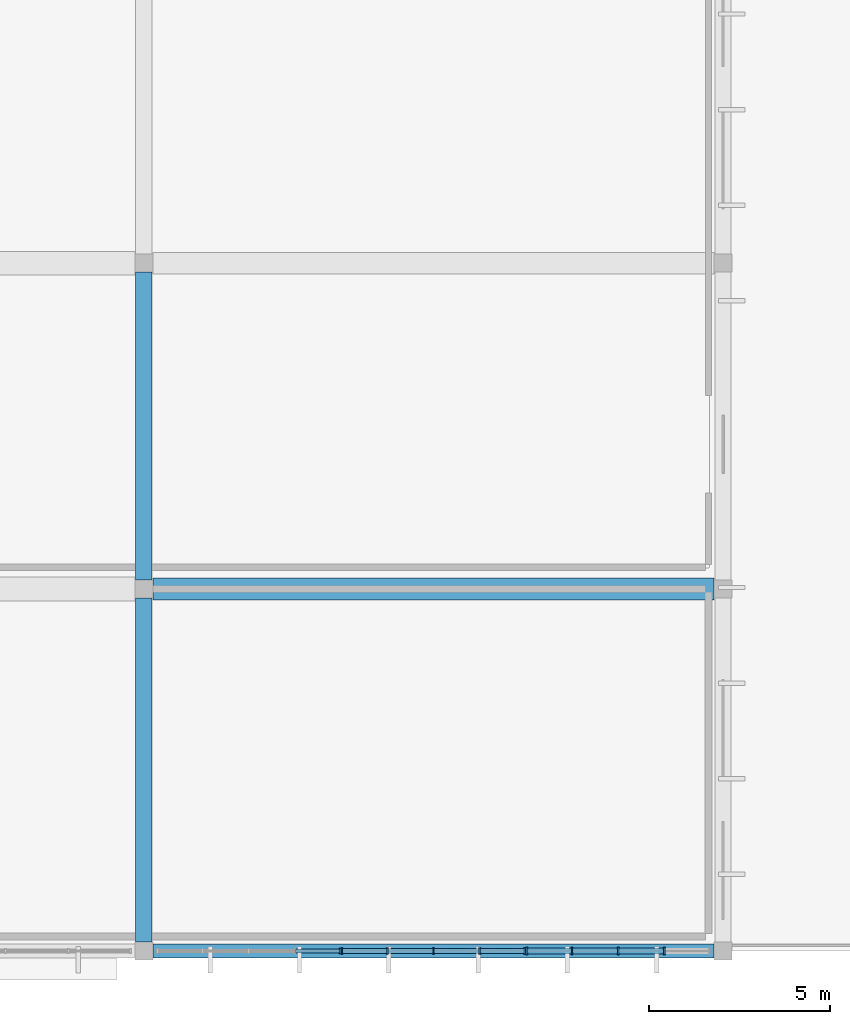
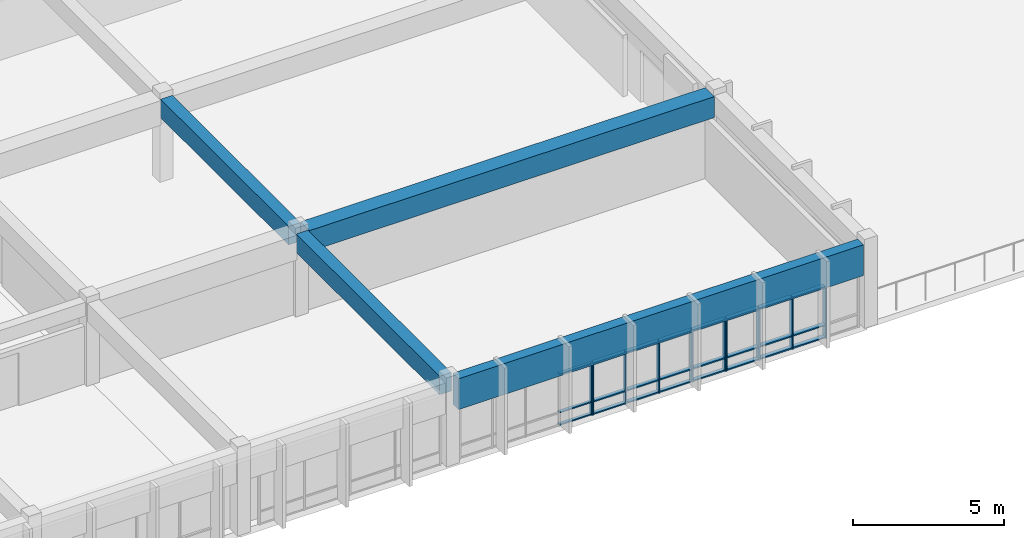
# One storey, part 9 of 33: 34 members, 4 beams, 3 elements without a shape of their own.
"""IFC4 building model written with IfcOpenShell, lengths in metres."""

from ifc_helpers import new_model, si_unit, direction, frame, origin, origin_2d, place, context, subcontext, project, spatial, rectangle, extrude, material, material_profile, profile_set, type_object, element, aggregate, save


model = new_model("IFC4")

# Units and contexts
model_context = context("Model", 3, precision=1e-05, world=origin(), true_north=direction((0.0, 1.0)))
body_context = subcontext(model_context, "Body", "Model", "MODEL_VIEW")
ifc_project = project(units=[si_unit("LENGTHUNIT", "METRE"), si_unit("AREAUNIT", "SQUARE_METRE"), si_unit("VOLUMEUNIT", "CUBIC_METRE"), si_unit("PLANEANGLEUNIT", "RADIAN"), si_unit("MASSUNIT", "GRAM", prefix="KILO")], contexts=[model_context])

# Site, building, storey
site_placement = place(None, origin())
site = spatial("IfcSite", under=ifc_project, at=site_placement, CompositionType="ELEMENT")
building_placement = place(site_placement, origin())
building = spatial("IfcBuilding", under=site, at=building_placement, Name="Larkveld Mobility Hub", CompositionType="ELEMENT")
storey_placement = place(building_placement, frame((0.0, 0.0, 15.60009765625)))
storey = spatial("IfcBuildingStorey", under=building, at=storey_placement, Name="L04", CompositionType="ELEMENT", Elevation=15.60009765625)

# Beams
ifc_material_1 = material(Name="Precast concrete C50/60", Category="concrete")
ifc_material_profile_1 = material_profile(ifc_material_1, rectangle(XDim=0.60009765625, YDim=0.85009765625, at=origin_2d()), Name="PC ITB 600x850")
ifc_profile_set_1 = profile_set([ifc_material_profile_1], Name="Precast concrete C50/60")
beam_type_1 = type_object("IfcBeamType", Name="BM-ITB6085", PredefinedType="T_BEAM", material=ifc_profile_set_1)
beam_1_placement = place(storey_placement, frame((152.25, 10.0, 2.934814453125), z_axis=(1.0, 0.0, 0.0), x_axis=(0.0, 1.0, 0.0)))
element("IfcBeam", 1, at=beam_1_placement, inside=storey, type_object=beam_type_1, Name="Primary E-W Girder L04-0865", PredefinedType="T_BEAM", context=body_context, shape_type="SweptSolid", body=[
    extrude(rectangle(XDim=0.60009765625, YDim=0.85009765625, at=origin_2d()), origin(), (0.0, 0.0, 1.0), 15.5),
])
ifc_material_2 = material(Name="Concrete C40/50", Category="concrete")
ifc_material_profile_2 = material_profile(ifc_material_2, rectangle(XDim=0.449951171875, YDim=0.75, at=origin_2d()), Name="RC BM 450x750")
ifc_profile_set_2 = profile_set([ifc_material_profile_2], Name="Concrete C40/50")
beam_type_2 = type_object("IfcBeamType", Name="BM-RC4575", PredefinedType="BEAM", material=ifc_profile_set_2)
beam_2_placement = place(storey_placement, frame((152.0, 0.25, 2.98486328125), z_axis=(0.0, 1.0, 0.0), x_axis=(-1.0, 0.0, 0.0)))
element("IfcBeam", 2, at=beam_2_placement, inside=storey, type_object=beam_type_2, Name="Primary N-S Girder L04-0930", PredefinedType="BEAM", context=body_context, shape_type="SweptSolid", body=[
    extrude(rectangle(XDim=0.449951171875, YDim=0.75, at=origin_2d()), origin(), (0.0, 0.0, 1.0), 9.5),
])
beam_3_placement = place(storey_placement, frame((152.0, 10.25, 2.98486328125), z_axis=(0.0, 1.0, 0.0), x_axis=(-1.0, 0.0, 0.0)))
element("IfcBeam", 3, at=beam_3_placement, inside=storey, type_object=beam_type_2, Name="Primary N-S Girder L04-0931", PredefinedType="BEAM", context=body_context, shape_type="SweptSolid", body=[
    extrude(rectangle(XDim=0.449951171875, YDim=0.75, at=origin_2d()), origin(), (0.0, 0.0, 1.0), 8.5),
])
ifc_material_profile_3 = material_profile(ifc_material_1, rectangle(XDim=0.3798828125, YDim=1.25, at=origin_2d()), Name="PC SP 380x1250")
ifc_profile_set_3 = profile_set([ifc_material_profile_3], Name="Precast concrete C50/60")
beam_type_3 = type_object("IfcBeamType", Name="BM-SP38125", PredefinedType="SPANDREL", material=ifc_profile_set_3)
beam_4_placement = place(storey_placement, frame((152.25, 0.0, 2.73486328125), z_axis=(1.0, 0.0, 0.0), x_axis=(0.0, 1.0, 0.0)))
element("IfcBeam", 4, at=beam_4_placement, inside=storey, type_object=beam_type_3, Name="Primary E-W Girder L04-0859", PredefinedType="SPANDREL", context=body_context, shape_type="SweptSolid", body=[
    extrude(rectangle(XDim=0.3798828125, YDim=1.25, at=origin_2d()), origin(), (0.0, 0.0, 1.0), 15.5),
])

# Curtain wall, member
ifc_material_3 = material(Name="Anodised aluminium 6063-T6", Category="aluminium")
curtain_wall_type_1 = type_object("IfcCurtainWallType", Name="CW-SYS-09", PredefinedType="NOTDEFINED", material=ifc_material_3)
curtain_wall_1_placement = place(storey_placement, origin())
curtain_wall_1 = element("IfcCurtainWall", 5, at=curtain_wall_1_placement, inside=storey, type_object=curtain_wall_type_1, Name="Service Wing South Glazing L04 CW-129", PredefinedType="NOTDEFINED")
ifc_material_profile_4 = material_profile(ifc_material_3, rectangle(XDim=0.050048828125, YDim=0.14990234375, at=origin_2d()), Name="ALU MULL 50x150")
ifc_profile_set_4 = profile_set([ifc_material_profile_4], Name="Anodised aluminium 6063-T6")
member_type_1 = type_object("IfcMemberType", Name="CW-MUL-01", PredefinedType="MULLION", material=ifc_profile_set_4)
member_1_placement = place(storey_placement, frame((157.425048828125, 0.0, -0.002197265625), z_axis=(0.0, 0.0, 1.0), x_axis=(1.0, 0.0, 0.0)))
member_1 = element("IfcMember", 6, at=member_1_placement, type_object=member_type_1, Name="CW09 mullion 5", PredefinedType="MULLION", context=body_context, shape_type="SweptSolid", body=[
    extrude(rectangle(XDim=0.050048828125, YDim=0.14990234375, at=origin_2d()), origin(), (0.0, 0.0, 1.0), 2.112060546875),
])

# Curtain wall, members
curtain_wall_type_2 = type_object("IfcCurtainWallType", Name="CW-SYS-10", PredefinedType="NOTDEFINED", material=ifc_material_3)
curtain_wall_2_placement = place(storey_placement, origin())
curtain_wall_2 = element("IfcCurtainWall", 7, at=curtain_wall_2_placement, inside=storey, type_object=curtain_wall_type_2, Name="Service Wing South Glazing L04 CW-130", PredefinedType="NOTDEFINED")
ifc_material_profile_5 = material_profile(ifc_material_3, rectangle(XDim=0.050048828125, YDim=0.179931640625, at=origin_2d()), Name="ALU MULL 50x180")
ifc_profile_set_5 = profile_set([ifc_material_profile_5], Name="Anodised aluminium 6063-T6")
member_type_2 = type_object("IfcMemberType", Name="CW-MUL-02", PredefinedType="MULLION", material=ifc_profile_set_5)
member_2_placement = place(storey_placement, frame((157.47509765625, 0.0, -0.002197265625), z_axis=(0.0, 0.0, 1.0), x_axis=(1.0, 0.0, 0.0)))
member_2 = element("IfcMember", 8, at=member_2_placement, type_object=member_type_2, Name="CW10 mullion 1", PredefinedType="MULLION", context=body_context, shape_type="SweptSolid", body=[
    extrude(rectangle(XDim=0.050048828125, YDim=0.179931640625, at=origin_2d()), origin(), (0.0, 0.0, 1.0), 2.112060546875),
])
member_3_placement = place(storey_placement, frame((158.72509765625, 0.0, -0.002197265625), z_axis=(0.0, 0.0, 1.0), x_axis=(1.0, 0.0, 0.0)))
member_3 = element("IfcMember", 9, at=member_3_placement, type_object=member_type_2, Name="CW10 mullion 2", PredefinedType="MULLION", context=body_context, shape_type="SweptSolid", body=[
    extrude(rectangle(XDim=0.050048828125, YDim=0.179931640625, at=origin_2d()), origin(), (0.0, 0.0, 1.0), 2.112060546875),
])
member_4_placement = place(storey_placement, frame((160.0, 0.0, -0.002197265625), z_axis=(0.0, 0.0, 1.0), x_axis=(1.0, 0.0, 0.0)))
member_4 = element("IfcMember", 10, at=member_4_placement, type_object=member_type_2, Name="CW10 mullion 3", PredefinedType="MULLION", context=body_context, shape_type="SweptSolid", body=[
    extrude(rectangle(XDim=0.050048828125, YDim=0.179931640625, at=origin_2d()), origin(), (0.0, 0.0, 1.0), 2.112060546875),
])
member_5_placement = place(storey_placement, frame((161.27490234375, 0.0, -0.002197265625), z_axis=(0.0, 0.0, 1.0), x_axis=(1.0, 0.0, 0.0)))
member_5 = element("IfcMember", 11, at=member_5_placement, type_object=member_type_2, Name="CW10 mullion 4", PredefinedType="MULLION", context=body_context, shape_type="SweptSolid", body=[
    extrude(rectangle(XDim=0.050048828125, YDim=0.179931640625, at=origin_2d()), origin(), (0.0, 0.0, 1.0), 2.112060546875),
])
member_6_placement = place(storey_placement, frame((162.52490234375, 0.0, -0.002197265625), z_axis=(0.0, 0.0, 1.0), x_axis=(1.0, 0.0, 0.0)))
member_6 = element("IfcMember", 12, at=member_6_placement, type_object=member_type_2, Name="CW10 mullion 5", PredefinedType="MULLION", context=body_context, shape_type="SweptSolid", body=[
    extrude(rectangle(XDim=0.050048828125, YDim=0.179931640625, at=origin_2d()), origin(), (0.0, 0.0, 1.0), 2.112060546875),
])

curtain_wall_type_3 = type_object("IfcCurtainWallType", Name="CW-SYS-11", PredefinedType="NOTDEFINED", material=ifc_material_3)
curtain_wall_3_placement = place(storey_placement, origin())
curtain_wall_3 = element("IfcCurtainWall", 13, at=curtain_wall_3_placement, inside=storey, type_object=curtain_wall_type_3, Name="Service Wing South Glazing L04 CW-131", PredefinedType="NOTDEFINED")
ifc_material_profile_6 = material_profile(ifc_material_3, rectangle(XDim=0.050048828125, YDim=0.2099609375, at=origin_2d()), Name="ALU MULL 50x210")
ifc_profile_set_6 = profile_set([ifc_material_profile_6], Name="Anodised aluminium 6063-T6")
member_type_3 = type_object("IfcMemberType", Name="CW-MUL-03", PredefinedType="MULLION", material=ifc_profile_set_6)
member_7_placement = place(storey_placement, frame((162.574951171875, 0.0, -0.002197265625), z_axis=(0.0, 0.0, 1.0), x_axis=(1.0, 0.0, 0.0)))
member_7 = element("IfcMember", 14, at=member_7_placement, type_object=member_type_3, Name="CW11 mullion 1", PredefinedType="MULLION", context=body_context, shape_type="SweptSolid", body=[
    extrude(rectangle(XDim=0.050048828125, YDim=0.2099609375, at=origin_2d()), origin(), (0.0, 0.0, 1.0), 2.112060546875),
])
member_8_placement = place(storey_placement, frame((163.824951171875, 0.0, -0.002197265625), z_axis=(0.0, 0.0, 1.0), x_axis=(1.0, 0.0, 0.0)))
member_8 = element("IfcMember", 15, at=member_8_placement, type_object=member_type_3, Name="CW11 mullion 2", PredefinedType="MULLION", context=body_context, shape_type="SweptSolid", body=[
    extrude(rectangle(XDim=0.050048828125, YDim=0.2099609375, at=origin_2d()), origin(), (0.0, 0.0, 1.0), 2.112060546875),
])
member_9_placement = place(storey_placement, frame((165.10009765625, 0.0, -0.002197265625), z_axis=(0.0, 0.0, 1.0), x_axis=(1.0, 0.0, 0.0)))
member_9 = element("IfcMember", 16, at=member_9_placement, type_object=member_type_3, Name="CW11 mullion 3", PredefinedType="MULLION", context=body_context, shape_type="SweptSolid", body=[
    extrude(rectangle(XDim=0.050048828125, YDim=0.2099609375, at=origin_2d()), origin(), (0.0, 0.0, 1.0), 2.112060546875),
])
member_10_placement = place(storey_placement, frame((166.375, 0.0, -0.002197265625), z_axis=(0.0, 0.0, 1.0), x_axis=(1.0, 0.0, 0.0)))
member_10 = element("IfcMember", 17, at=member_10_placement, type_object=member_type_3, Name="CW11 mullion 4", PredefinedType="MULLION", context=body_context, shape_type="SweptSolid", body=[
    extrude(rectangle(XDim=0.050048828125, YDim=0.2099609375, at=origin_2d()), origin(), (0.0, 0.0, 1.0), 2.112060546875),
])

# Member
ifc_material_profile_7 = material_profile(ifc_material_3, rectangle(XDim=0.1201171875, YDim=0.050048828125, at=origin_2d()), Name="ALU TRAN 50x120")
ifc_profile_set_7 = profile_set([ifc_material_profile_7], Name="Anodised aluminium 6063-T6")
member_type_4 = type_object("IfcMemberType", Name="CW-TRN-01", PredefinedType="USERDEFINED", material=ifc_profile_set_7)
member_11_placement = place(storey_placement, frame((156.18994140625, 0.0, 0.02978515625), z_axis=(1.0, 0.0, 0.0), x_axis=(0.0, 1.0, 0.0)))
member_11 = element("IfcMember", 18, at=member_11_placement, type_object=member_type_4, Name="CW09 transom 4.1", ObjectType="TRANSOM", PredefinedType="USERDEFINED", context=body_context, shape_type="SweptSolid", body=[
    extrude(rectangle(XDim=0.1201171875, YDim=0.050048828125, at=origin_2d()), origin(), (0.0, 0.0, 1.0), 1.22509765625),
])

member_12_placement = place(storey_placement, frame((156.18994140625, 0.0, 0.52685546875), z_axis=(1.0, 0.0, 0.0), x_axis=(0.0, 1.0, 0.0)))
member_12 = element("IfcMember", 19, at=member_12_placement, type_object=member_type_4, Name="CW09 transom 4.2", ObjectType="TRANSOM", PredefinedType="USERDEFINED", context=body_context, shape_type="SweptSolid", body=[
    extrude(rectangle(XDim=0.1201171875, YDim=0.050048828125, at=origin_2d()), origin(), (0.0, 0.0, 1.0), 1.22509765625),
])

member_13_placement = place(storey_placement, frame((156.18994140625, 0.0, 2.077880859375), z_axis=(1.0, 0.0, 0.0), x_axis=(0.0, 1.0, 0.0)))
member_13 = element("IfcMember", 20, at=member_13_placement, type_object=member_type_4, Name="CW09 transom 4.3", ObjectType="TRANSOM", PredefinedType="USERDEFINED", context=body_context, shape_type="SweptSolid", body=[
    extrude(rectangle(XDim=0.1201171875, YDim=0.050048828125, at=origin_2d()), origin(), (0.0, 0.0, 1.0), 1.22509765625),
])

aggregate(curtain_wall_1, [member_1, member_11, member_12, member_13])

ifc_material_profile_8 = material_profile(ifc_material_3, rectangle(XDim=0.14990234375, YDim=0.050048828125, at=origin_2d()), Name="ALU TRAN 50x150")
ifc_profile_set_8 = profile_set([ifc_material_profile_8], Name="Anodised aluminium 6063-T6")
member_type_5 = type_object("IfcMemberType", Name="CW-TRN-02", PredefinedType="USERDEFINED", material=ifc_profile_set_8)
member_14_placement = place(storey_placement, frame((157.485107421875, 0.0, 0.02978515625), z_axis=(1.0, 0.0, 0.0), x_axis=(0.0, 1.0, 0.0)))
member_14 = element("IfcMember", 21, at=member_14_placement, type_object=member_type_5, Name="CW10 transom 1.1", ObjectType="TRANSOM", PredefinedType="USERDEFINED", context=body_context, shape_type="SweptSolid", body=[
    extrude(rectangle(XDim=0.14990234375, YDim=0.050048828125, at=origin_2d()), origin(), (0.0, 0.0, 1.0), 1.224853515625),
])

member_15_placement = place(storey_placement, frame((157.485107421875, 0.0, 0.52685546875), z_axis=(1.0, 0.0, 0.0), x_axis=(0.0, 1.0, 0.0)))
member_15 = element("IfcMember", 22, at=member_15_placement, type_object=member_type_5, Name="CW10 transom 1.2", ObjectType="TRANSOM", PredefinedType="USERDEFINED", context=body_context, shape_type="SweptSolid", body=[
    extrude(rectangle(XDim=0.14990234375, YDim=0.050048828125, at=origin_2d()), origin(), (0.0, 0.0, 1.0), 1.224853515625),
])

member_16_placement = place(storey_placement, frame((157.485107421875, 0.0, 2.077880859375), z_axis=(1.0, 0.0, 0.0), x_axis=(0.0, 1.0, 0.0)))
member_16 = element("IfcMember", 23, at=member_16_placement, type_object=member_type_5, Name="CW10 transom 1.3", ObjectType="TRANSOM", PredefinedType="USERDEFINED", context=body_context, shape_type="SweptSolid", body=[
    extrude(rectangle(XDim=0.14990234375, YDim=0.050048828125, at=origin_2d()), origin(), (0.0, 0.0, 1.0), 1.224853515625),
])

member_17_placement = place(storey_placement, frame((158.739990234375, 0.0, 0.02978515625), z_axis=(1.0, 0.0, 0.0), x_axis=(0.0, 1.0, 0.0)))
member_17 = element("IfcMember", 24, at=member_17_placement, type_object=member_type_5, Name="CW10 transom 2.1", ObjectType="TRANSOM", PredefinedType="USERDEFINED", context=body_context, shape_type="SweptSolid", body=[
    extrude(rectangle(XDim=0.14990234375, YDim=0.050048828125, at=origin_2d()), origin(), (0.0, 0.0, 1.0), 1.2451171875),
])

member_18_placement = place(storey_placement, frame((158.739990234375, 0.0, 0.52685546875), z_axis=(1.0, 0.0, 0.0), x_axis=(0.0, 1.0, 0.0)))
member_18 = element("IfcMember", 25, at=member_18_placement, type_object=member_type_5, Name="CW10 transom 2.2", ObjectType="TRANSOM", PredefinedType="USERDEFINED", context=body_context, shape_type="SweptSolid", body=[
    extrude(rectangle(XDim=0.14990234375, YDim=0.050048828125, at=origin_2d()), origin(), (0.0, 0.0, 1.0), 1.2451171875),
])

member_19_placement = place(storey_placement, frame((158.739990234375, 0.0, 2.077880859375), z_axis=(1.0, 0.0, 0.0), x_axis=(0.0, 1.0, 0.0)))
member_19 = element("IfcMember", 26, at=member_19_placement, type_object=member_type_5, Name="CW10 transom 2.3", ObjectType="TRANSOM", PredefinedType="USERDEFINED", context=body_context, shape_type="SweptSolid", body=[
    extrude(rectangle(XDim=0.14990234375, YDim=0.050048828125, at=origin_2d()), origin(), (0.0, 0.0, 1.0), 1.2451171875),
])

member_20_placement = place(storey_placement, frame((160.014892578125, 0.0, 0.02978515625), z_axis=(1.0, 0.0, 0.0), x_axis=(0.0, 1.0, 0.0)))
member_20 = element("IfcMember", 27, at=member_20_placement, type_object=member_type_5, Name="CW10 transom 3.1", ObjectType="TRANSOM", PredefinedType="USERDEFINED", context=body_context, shape_type="SweptSolid", body=[
    extrude(rectangle(XDim=0.14990234375, YDim=0.050048828125, at=origin_2d()), origin(), (0.0, 0.0, 1.0), 1.2451171875),
])

member_21_placement = place(storey_placement, frame((160.014892578125, 0.0, 0.52685546875), z_axis=(1.0, 0.0, 0.0), x_axis=(0.0, 1.0, 0.0)))
member_21 = element("IfcMember", 28, at=member_21_placement, type_object=member_type_5, Name="CW10 transom 3.2", ObjectType="TRANSOM", PredefinedType="USERDEFINED", context=body_context, shape_type="SweptSolid", body=[
    extrude(rectangle(XDim=0.14990234375, YDim=0.050048828125, at=origin_2d()), origin(), (0.0, 0.0, 1.0), 1.2451171875),
])

member_22_placement = place(storey_placement, frame((160.014892578125, 0.0, 2.077880859375), z_axis=(1.0, 0.0, 0.0), x_axis=(0.0, 1.0, 0.0)))
member_22 = element("IfcMember", 29, at=member_22_placement, type_object=member_type_5, Name="CW10 transom 3.3", ObjectType="TRANSOM", PredefinedType="USERDEFINED", context=body_context, shape_type="SweptSolid", body=[
    extrude(rectangle(XDim=0.14990234375, YDim=0.050048828125, at=origin_2d()), origin(), (0.0, 0.0, 1.0), 1.2451171875),
])

member_23_placement = place(storey_placement, frame((161.2900390625, 0.0, 0.02978515625), z_axis=(1.0, 0.0, 0.0), x_axis=(0.0, 1.0, 0.0)))
member_23 = element("IfcMember", 30, at=member_23_placement, type_object=member_type_5, Name="CW10 transom 4.1", ObjectType="TRANSOM", PredefinedType="USERDEFINED", context=body_context, shape_type="SweptSolid", body=[
    extrude(rectangle(XDim=0.14990234375, YDim=0.050048828125, at=origin_2d()), origin(), (0.0, 0.0, 1.0), 1.224853515625),
])

member_24_placement = place(storey_placement, frame((161.2900390625, 0.0, 0.52685546875), z_axis=(1.0, 0.0, 0.0), x_axis=(0.0, 1.0, 0.0)))
member_24 = element("IfcMember", 31, at=member_24_placement, type_object=member_type_5, Name="CW10 transom 4.2", ObjectType="TRANSOM", PredefinedType="USERDEFINED", context=body_context, shape_type="SweptSolid", body=[
    extrude(rectangle(XDim=0.14990234375, YDim=0.050048828125, at=origin_2d()), origin(), (0.0, 0.0, 1.0), 1.224853515625),
])

member_25_placement = place(storey_placement, frame((161.2900390625, 0.0, 2.077880859375), z_axis=(1.0, 0.0, 0.0), x_axis=(0.0, 1.0, 0.0)))
member_25 = element("IfcMember", 32, at=member_25_placement, type_object=member_type_5, Name="CW10 transom 4.3", ObjectType="TRANSOM", PredefinedType="USERDEFINED", context=body_context, shape_type="SweptSolid", body=[
    extrude(rectangle(XDim=0.14990234375, YDim=0.050048828125, at=origin_2d()), origin(), (0.0, 0.0, 1.0), 1.224853515625),
])

aggregate(curtain_wall_2, [member_2, member_3, member_4, member_5, member_6, member_14, member_15, member_16, member_17, member_18, member_19, member_20, member_21, member_22, member_23, member_24, member_25])

ifc_material_profile_9 = material_profile(ifc_material_3, rectangle(XDim=0.169921875, YDim=0.050048828125, at=origin_2d()), Name="ALU TRAN 50x170")
ifc_profile_set_9 = profile_set([ifc_material_profile_9], Name="Anodised aluminium 6063-T6")
member_type_6 = type_object("IfcMemberType", Name="CW-TRN-03", PredefinedType="USERDEFINED", material=ifc_profile_set_9)
member_26_placement = place(storey_placement, frame((162.5849609375, 0.0, 0.02978515625), z_axis=(1.0, 0.0, 0.0), x_axis=(0.0, 1.0, 0.0)))
member_26 = element("IfcMember", 33, at=member_26_placement, type_object=member_type_6, Name="CW11 transom 1.1", ObjectType="TRANSOM", PredefinedType="USERDEFINED", context=body_context, shape_type="SweptSolid", body=[
    extrude(rectangle(XDim=0.169921875, YDim=0.050048828125, at=origin_2d()), origin(), (0.0, 0.0, 1.0), 1.22509765625),
])

member_27_placement = place(storey_placement, frame((162.5849609375, 0.0, 0.52685546875), z_axis=(1.0, 0.0, 0.0), x_axis=(0.0, 1.0, 0.0)))
member_27 = element("IfcMember", 34, at=member_27_placement, type_object=member_type_6, Name="CW11 transom 1.2", ObjectType="TRANSOM", PredefinedType="USERDEFINED", context=body_context, shape_type="SweptSolid", body=[
    extrude(rectangle(XDim=0.169921875, YDim=0.050048828125, at=origin_2d()), origin(), (0.0, 0.0, 1.0), 1.22509765625),
])

member_28_placement = place(storey_placement, frame((162.5849609375, 0.0, 2.077880859375), z_axis=(1.0, 0.0, 0.0), x_axis=(0.0, 1.0, 0.0)))
member_28 = element("IfcMember", 35, at=member_28_placement, type_object=member_type_6, Name="CW11 transom 1.3", ObjectType="TRANSOM", PredefinedType="USERDEFINED", context=body_context, shape_type="SweptSolid", body=[
    extrude(rectangle(XDim=0.169921875, YDim=0.050048828125, at=origin_2d()), origin(), (0.0, 0.0, 1.0), 1.22509765625),
])

member_29_placement = place(storey_placement, frame((163.840087890625, 0.0, 0.02978515625), z_axis=(1.0, 0.0, 0.0), x_axis=(0.0, 1.0, 0.0)))
member_29 = element("IfcMember", 36, at=member_29_placement, type_object=member_type_6, Name="CW11 transom 2.1", ObjectType="TRANSOM", PredefinedType="USERDEFINED", context=body_context, shape_type="SweptSolid", body=[
    extrude(rectangle(XDim=0.169921875, YDim=0.050048828125, at=origin_2d()), origin(), (0.0, 0.0, 1.0), 1.244873046875),
])

member_30_placement = place(storey_placement, frame((163.840087890625, 0.0, 0.52685546875), z_axis=(1.0, 0.0, 0.0), x_axis=(0.0, 1.0, 0.0)))
member_30 = element("IfcMember", 37, at=member_30_placement, type_object=member_type_6, Name="CW11 transom 2.2", ObjectType="TRANSOM", PredefinedType="USERDEFINED", context=body_context, shape_type="SweptSolid", body=[
    extrude(rectangle(XDim=0.169921875, YDim=0.050048828125, at=origin_2d()), origin(), (0.0, 0.0, 1.0), 1.244873046875),
])

member_31_placement = place(storey_placement, frame((163.840087890625, 0.0, 2.077880859375), z_axis=(1.0, 0.0, 0.0), x_axis=(0.0, 1.0, 0.0)))
member_31 = element("IfcMember", 38, at=member_31_placement, type_object=member_type_6, Name="CW11 transom 2.3", ObjectType="TRANSOM", PredefinedType="USERDEFINED", context=body_context, shape_type="SweptSolid", body=[
    extrude(rectangle(XDim=0.169921875, YDim=0.050048828125, at=origin_2d()), origin(), (0.0, 0.0, 1.0), 1.244873046875),
])

member_32_placement = place(storey_placement, frame((165.114990234375, 0.0, 0.02978515625), z_axis=(1.0, 0.0, 0.0), x_axis=(0.0, 1.0, 0.0)))
member_32 = element("IfcMember", 39, at=member_32_placement, type_object=member_type_6, Name="CW11 transom 3.1", ObjectType="TRANSOM", PredefinedType="USERDEFINED", context=body_context, shape_type="SweptSolid", body=[
    extrude(rectangle(XDim=0.169921875, YDim=0.050048828125, at=origin_2d()), origin(), (0.0, 0.0, 1.0), 1.2451171875),
])

member_33_placement = place(storey_placement, frame((165.114990234375, 0.0, 0.52685546875), z_axis=(1.0, 0.0, 0.0), x_axis=(0.0, 1.0, 0.0)))
member_33 = element("IfcMember", 40, at=member_33_placement, type_object=member_type_6, Name="CW11 transom 3.2", ObjectType="TRANSOM", PredefinedType="USERDEFINED", context=body_context, shape_type="SweptSolid", body=[
    extrude(rectangle(XDim=0.169921875, YDim=0.050048828125, at=origin_2d()), origin(), (0.0, 0.0, 1.0), 1.2451171875),
])

member_34_placement = place(storey_placement, frame((165.114990234375, 0.0, 2.077880859375), z_axis=(1.0, 0.0, 0.0), x_axis=(0.0, 1.0, 0.0)))
member_34 = element("IfcMember", 41, at=member_34_placement, type_object=member_type_6, Name="CW11 transom 3.3", ObjectType="TRANSOM", PredefinedType="USERDEFINED", context=body_context, shape_type="SweptSolid", body=[
    extrude(rectangle(XDim=0.169921875, YDim=0.050048828125, at=origin_2d()), origin(), (0.0, 0.0, 1.0), 1.2451171875),
])

aggregate(curtain_wall_3, [member_7, member_8, member_9, member_10, member_26, member_27, member_28, member_29, member_30, member_31, member_32, member_33, member_34])

save(model, "model.ifc")
